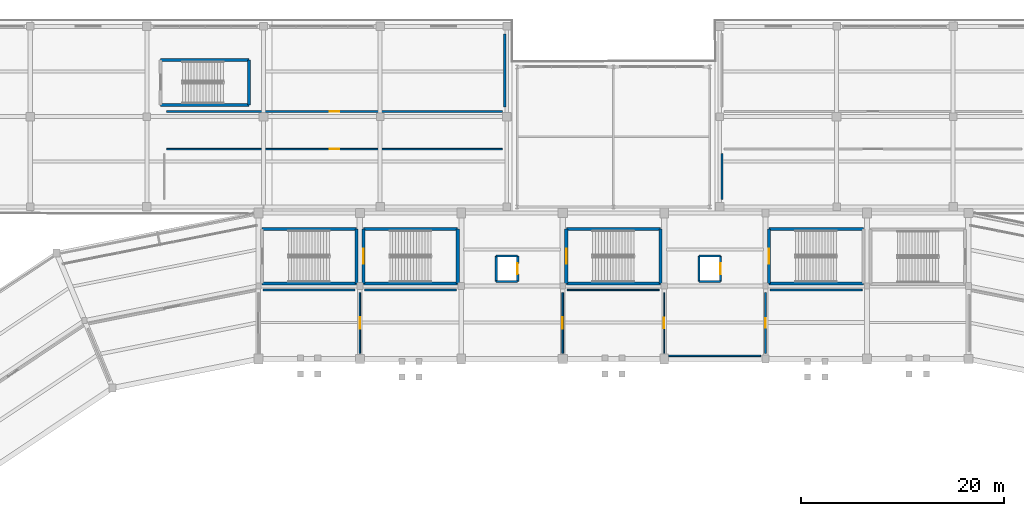
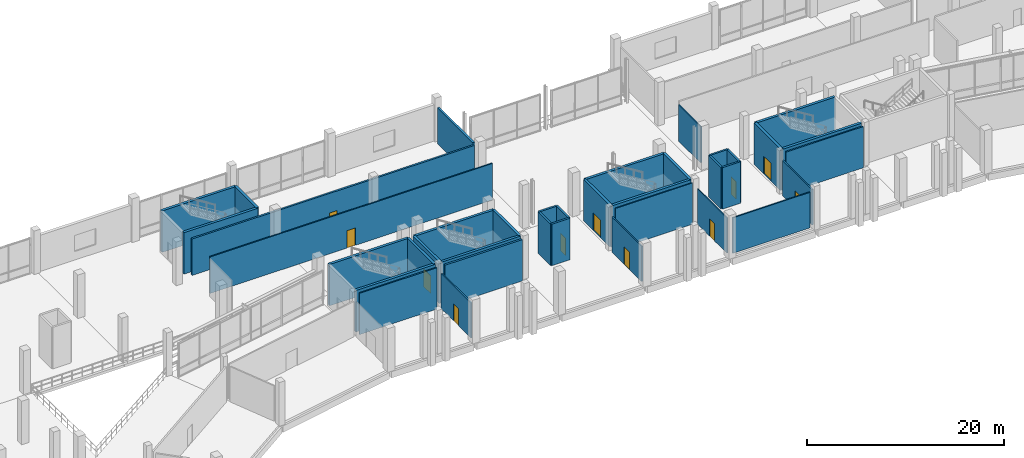
# One storey, part 82 of 114: 38 walls, 11 doors, 11 openings.
"""IFC4 building model written with IfcOpenShell, lengths in metres."""

from ifc_helpers import new_model, si_unit, direction, frame, frame_2d, origin, place, context, subcontext, project, spatial, rectangle, extrude, material, layer, layer_set, type_object, element, fill, save


model = new_model("IFC4")

# Units and contexts
model_context = context("Model", 3, precision=1e-05, world=origin(), true_north=direction((0.0, 1.0)))
body_context = subcontext(model_context, "Body", "Model", "MODEL_VIEW")
ifc_project = project(units=[si_unit("LENGTHUNIT", "METRE"), si_unit("AREAUNIT", "SQUARE_METRE"), si_unit("VOLUMEUNIT", "CUBIC_METRE"), si_unit("PLANEANGLEUNIT", "RADIAN"), si_unit("MASSUNIT", "GRAM", prefix="KILO")], contexts=[model_context])

# Site, building, storey
site_placement = place(None, origin())
site = spatial("IfcSite", under=ifc_project, at=site_placement, CompositionType="ELEMENT")
building_placement = place(site_placement, origin())
building = spatial("IfcBuilding", under=site, at=building_placement, Name="Candeia Ridge Stadium", CompositionType="ELEMENT")
storey_placement = place(building_placement, frame((0.0, 0.0, 5.39990234375)))
storey = spatial("IfcBuildingStorey", under=building, at=storey_placement, Name="L01", CompositionType="ELEMENT", Elevation=5.39990234375)

# Wall
ifc_material_1 = material(Name="Gypsum Acoustic Twin-Stud Assembly", Category="gypsum")
ifc_layer_1 = layer(ifc_material_1, 0.159912109375, Name="Gypsum Acoustic Twin-Stud Assembly", Category="gypsum")
ifc_layer_set_1 = layer_set([ifc_layer_1], Name="Gypsum Acoustic Twin-Stud Assembly")
wall_type_1 = type_object("IfcWallType", Name="Club Dining Acoustic Partition 160", PredefinedType="PARTITIONING", material=ifc_layer_set_1)
wall_1_placement = place(storey_placement, frame((116.699951171875, 148.35009765625, 0.0), z_axis=(0.0, 0.0, 1.0), x_axis=(0.0, 1.0, 0.0)))
element("IfcWall", 1, at=wall_1_placement, inside=storey, type_object=wall_type_1, Name="Demising partition PT-L01-0257", PredefinedType="PARTITIONING", context=body_context, shape_type="SweptSolid", body=[
    extrude(rectangle(XDim=4.5, YDim=0.159912109375, at=frame_2d((2.25, 0.0))), origin(), (0.0, 0.0, 1.0), 4.47509765625),
])

# Wall, opening, door
wall_2_placement = place(storey_placement, frame((101.0, 133.14990234375, 0.0), z_axis=(0.0, 0.0, 1.0), x_axis=(0.0, 1.0, 0.0)))
wall_2 = element("IfcWall", 2, at=wall_2_placement, inside=storey, type_object=wall_type_1, Name="Interior partition PT-L01-0280", PredefinedType="PARTITIONING", context=body_context, shape_type="SweptSolid", body=[
    extrude(rectangle(XDim=6.0, YDim=0.159912109375, at=frame_2d((3.0, 0.0))), origin(), (0.0, 0.0, 1.0), 4.385009765625),
])
opening_1_placement = place(wall_2_placement, frame((2.425048828125, 0.0, 0.0)))
opening_1 = element("IfcOpeningElement", 3, at=opening_1_placement, cuts=wall_2, Name="Opening ID02", PredefinedType="OPENING", context=body_context, shape_type="SweptSolid", body=[
    extrude(rectangle(XDim=1.14990234375, YDim=2.199951171875, at=frame_2d((0.574951171875, 1.10009765625))), frame((0.0, 0.08984375, 0.0), z_axis=(0.0, -1.0, 0.0), x_axis=(1.0, 0.0, 0.0)), (0.0, 0.0, 1.0), 0.179931640625),
])
ifc_material_2 = material(Name="Acoustic Timber Studio Leaf", Category="wood")
door_type_1 = type_object("IfcDoorType", Name="Broadcast & Press Studio Door 1150x2200", OperationType="NOTDEFINED", PredefinedType="DOOR", material=ifc_material_2)
door_1_placement = place(opening_1_placement, origin())
door_1 = element("IfcDoor", 4, at=door_1_placement, inside=storey, type_object=door_type_1, Name="Interior room door D-L01-0145", OperationType="SINGLE_SWING_LEFT", OverallHeight=2.199951171875, OverallWidth=1.14990234375, PredefinedType="DOOR", context=body_context, shape_type="SweptSolid", body=[
    extrude(rectangle(XDim=1.14990234375, YDim=2.199951171875, at=frame_2d((0.574951171875, 1.10009765625))), frame((0.0, 0.02490234375, 0.0), z_axis=(0.0, -1.0, 0.0), x_axis=(1.0, 0.0, 0.0)), (0.0, 0.0, 1.0), 0.050048828125),
])
fill(opening_1, door_1)

# Wall
wall_3_placement = place(storey_placement, frame((71.449951171875, 139.39990234375, 0.0), z_axis=(0.0, 0.0, 1.0), x_axis=(1.0, 0.0, 0.0)))
element("IfcWall", 5, at=wall_3_placement, inside=storey, type_object=wall_type_1, Name="Demising partition PT-L01-0285", PredefinedType="PARTITIONING", context=body_context, shape_type="SweptSolid", body=[
    extrude(rectangle(XDim=9.06005859375, YDim=0.159912109375, at=frame_2d((4.530029296875, 0.0))), origin(), (0.0, 0.0, 1.0), 5.1201171875),
])

# Wall, opening, door
ifc_material_3 = material(Name="Concrete Masonry Blockwork C25/30", Category="masonry")
ifc_layer_2 = layer(ifc_material_3, 0.14990234375, Name="Concrete Masonry Blockwork C25/30", Category="masonry")
ifc_layer_set_2 = layer_set([ifc_layer_2], Name="Concrete Masonry Blockwork C25/30")
wall_type_2 = type_object("IfcWallType", Name="Concourse Kiosk Partition 150", PredefinedType="PARTITIONING", material=ifc_layer_set_2)
wall_4_placement = place(storey_placement, frame((61.949951171875, 153.300048828125, 0.0), z_axis=(0.0, 0.0, 1.0), x_axis=(1.0, 0.0, 0.0)))
wall_4 = element("IfcWall", 6, at=wall_4_placement, inside=storey, type_object=wall_type_2, Name="Interior partition PT-L01-0252", PredefinedType="PARTITIONING", context=body_context, shape_type="SweptSolid", body=[
    extrude(rectangle(XDim=33.10009765625, YDim=0.14990234375, at=frame_2d((16.550048828125, 0.0))), origin(), (0.0, 0.0, 1.0), 4.525146484375),
])
opening_2_placement = place(wall_4_placement, frame((16.06005859375, 0.0, 0.0)))
opening_2 = element("IfcOpeningElement", 7, at=opening_2_placement, cuts=wall_4, Name="Opening ID12", PredefinedType="OPENING", context=body_context, shape_type="SweptSolid", body=[
    extrude(rectangle(XDim=0.97998046875, YDim=2.14990234375, at=frame_2d((0.489990234375, 1.074951171875))), frame((0.0, 0.0849609375, 0.0), z_axis=(0.0, -1.0, 0.0), x_axis=(1.0, 0.0, 0.0)), (0.0, 0.0, 1.0), 0.169921875),
])
door_type_2 = type_object("IfcDoorType", Name="Commentary Booth Acoustic Door 980x2150", OperationType="NOTDEFINED", PredefinedType="DOOR", material=ifc_material_2)
door_2_placement = place(opening_2_placement, origin())
door_2 = element("IfcDoor", 8, at=door_2_placement, inside=storey, type_object=door_type_2, Name="Interior room door D-L01-0131", OperationType="SINGLE_SWING_LEFT", OverallHeight=2.14990234375, OverallWidth=0.97998046875, PredefinedType="DOOR", context=body_context, shape_type="SweptSolid", body=[
    extrude(rectangle(XDim=0.97998046875, YDim=2.14990234375, at=frame_2d((0.489990234375, 1.074951171875))), frame((0.0, 0.02490234375, 0.0), z_axis=(0.0, -1.0, 0.0), x_axis=(1.0, 0.0, 0.0)), (0.0, 0.0, 1.0), 0.050048828125),
])
fill(opening_2, door_2)

# Walls
wall_5_placement = place(storey_placement, frame((120.510009765625, 132.89990234375, 0.0), z_axis=(0.0, 0.0, 1.0), x_axis=(-1.0, 0.0, 0.0)))
element("IfcWall", 9, at=wall_5_placement, inside=storey, type_object=wall_type_2, Name="Demising partition PT-L01-0279", PredefinedType="PARTITIONING", context=body_context, shape_type="SweptSolid", body=[
    extrude(rectangle(XDim=9.06005859375, YDim=0.14990234375, at=frame_2d((4.530029296875, 0.0))), origin(), (0.0, 0.0, 1.0), 4.405029296875),
])
ifc_material_4 = material(Name="Concrete C45/55", Category="concrete")
ifc_layer_3 = layer(ifc_material_4, 0.300048828125, Name="Concrete C45/55", Category="concrete")
ifc_layer_set_3 = layer_set([ifc_layer_3], Name="Concrete C45/55")
wall_type_3 = type_object("IfcWallType", Name="Core Shear Wall Concrete 300", PredefinedType="SHEAR", material=ifc_layer_set_3)
wall_6_placement = place(storey_placement, frame((71.350341796875, 140.05029296875, 0.0), z_axis=(0.0, 0.0, 1.0), x_axis=(1.0, 0.0, 0.0)))
element("IfcWall", 10, at=wall_6_placement, inside=storey, type_object=wall_type_3, Name="Core C01 left shear wall L01", PredefinedType="SHEAR", context=body_context, shape_type="SweptSolid", body=[
    extrude(rectangle(XDim=9.29931640625, YDim=0.300048828125, at=frame_2d((4.649658203125, 0.0))), origin(), (0.0, 0.0, 1.0), 5.14013671875),
])
wall_7_placement = place(storey_placement, frame((80.649658203125, 140.05029296875, 0.0), z_axis=(0.0, 0.0, 1.0), x_axis=(0.0, 1.0, 0.0)))
element("IfcWall", 11, at=wall_7_placement, inside=storey, type_object=wall_type_3, Name="Core C01 far shear wall L01", PredefinedType="SHEAR", context=body_context, shape_type="SweptSolid", body=[
    extrude(rectangle(XDim=5.349365234375, YDim=0.300048828125, at=frame_2d((2.6748046875, 0.0))), origin(), (0.0, 0.0, 1.0), 5.14013671875),
])
for number, where, z_axis, x_axis, name in (
    (12, (80.649658203125, 145.399658203125, 0.0), (0.0, 0.0, 1.0), (-1.0, 0.0, 0.0), "Core C01 right shear wall L01"),
    (13, (81.350341796875, 140.05029296875, 0.0), (0.0, 0.0, 1.0), (1.0, 0.0, 0.0), "Core C09 left shear wall L01"),
):
    element("IfcWall", number, at=place(storey_placement, frame(where, z_axis=z_axis, x_axis=x_axis)), inside=storey, type_object=wall_type_3, Name=name, PredefinedType="SHEAR", context=body_context, shape_type="SweptSolid", body=[
        extrude(rectangle(XDim=9.29931640625, YDim=0.300048828125, at=frame_2d((4.649658203125, 0.0))), origin(), (0.0, 0.0, 1.0), 5.14013671875),
    ])
wall_8_placement = place(storey_placement, frame((90.649658203125, 140.05029296875, 0.0), z_axis=(0.0, 0.0, 1.0), x_axis=(0.0, 1.0, 0.0)))
element("IfcWall", 14, at=wall_8_placement, inside=storey, type_object=wall_type_3, Name="Core C09 far shear wall L01", PredefinedType="SHEAR", context=body_context, shape_type="SweptSolid", body=[
    extrude(rectangle(XDim=5.349365234375, YDim=0.300048828125, at=frame_2d((2.6748046875, 0.0))), origin(), (0.0, 0.0, 1.0), 5.14013671875),
])
wall_9_placement = place(storey_placement, frame((90.649658203125, 145.399658203125, 0.0), z_axis=(0.0, 0.0, 1.0), x_axis=(-1.0, 0.0, 0.0)))
element("IfcWall", 15, at=wall_9_placement, inside=storey, type_object=wall_type_3, Name="Core C09 right shear wall L01", PredefinedType="SHEAR", context=body_context, shape_type="SweptSolid", body=[
    extrude(rectangle(XDim=9.29931640625, YDim=0.300048828125, at=frame_2d((4.649658203125, 0.0))), origin(), (0.0, 0.0, 1.0), 5.14013671875),
])

# Wall, opening, door
wall_10_placement = place(storey_placement, frame((81.350341796875, 145.399658203125, 0.0), z_axis=(0.0, 0.0, 1.0), x_axis=(0.0, -1.0, 0.0)))
wall_10 = element("IfcWall", 16, at=wall_10_placement, inside=storey, type_object=wall_type_3, Name="Core C09 near shear wall L01", PredefinedType="SHEAR", context=body_context, shape_type="SweptSolid", body=[
    extrude(rectangle(XDim=5.349365234375, YDim=0.300048828125, at=frame_2d((2.6748046875, 0.0))), origin(), (0.0, 0.0, 1.0), 5.14013671875),
])
opening_3_placement = place(wall_10_placement, frame((1.924560546875, 0.0, 0.0)))
opening_3 = element("IfcOpeningElement", 17, at=opening_3_placement, cuts=wall_10, Name="Opening FD01", PredefinedType="OPENING", context=body_context, shape_type="SweptSolid", body=[
    extrude(rectangle(XDim=1.5, YDim=2.199951171875, at=frame_2d((0.75, 1.10009765625))), frame((0.0, 0.159912109375, 0.0), z_axis=(0.0, -1.0, 0.0), x_axis=(1.0, 0.0, 0.0)), (0.0, 0.0, 1.0), 0.320068359375),
])
ifc_material_5 = material(Name="Galvanized Fire-Rated Steel", Category="steel")
door_type_3 = type_object("IfcDoorType", Name="Exit Stair Core Fire Door 1500x2200", OperationType="NOTDEFINED", PredefinedType="DOOR", material=ifc_material_5)
door_3_placement = place(opening_3_placement, origin())
door_3 = element("IfcDoor", 18, at=door_3_placement, inside=storey, type_object=door_type_3, Name="Exit stair fire door SD-ST09-L01", OperationType="DOUBLE_DOOR_SINGLE_SWING", OverallHeight=2.199951171875, OverallWidth=1.5, PredefinedType="DOOR", context=body_context, shape_type="SweptSolid", body=[
    extrude(rectangle(XDim=1.5, YDim=2.199951171875, at=frame_2d((0.75, 1.10009765625))), frame((0.0, 0.02490234375, 0.0), z_axis=(0.0, -1.0, 0.0), x_axis=(1.0, 0.0, 0.0)), (0.0, 0.0, 1.0), 0.050048828125),
])
fill(opening_3, door_3)

# Walls
for number, where, z_axis, x_axis, name in (
    (19, (121.350341796875, 140.05029296875, 0.0), (0.0, 0.0, 1.0), (1.0, 0.0, 0.0), "Core C10 left shear wall L01"),
    (20, (130.649658203125, 145.399658203125, 0.0), (0.0, 0.0, 1.0), (-1.0, 0.0, 0.0), "Core C10 right shear wall L01"),
):
    element("IfcWall", number, at=place(storey_placement, frame(where, z_axis=z_axis, x_axis=x_axis)), inside=storey, type_object=wall_type_3, Name=name, PredefinedType="SHEAR", context=body_context, shape_type="SweptSolid", body=[
        extrude(rectangle(XDim=9.29931640625, YDim=0.300048828125, at=frame_2d((4.649658203125, 0.0))), origin(), (0.0, 0.0, 1.0), 5.14013671875),
    ])

# Wall, opening, door
wall_11_placement = place(storey_placement, frame((121.350341796875, 145.399658203125, 0.0), z_axis=(0.0, 0.0, 1.0), x_axis=(0.0, -1.0, 0.0)))
wall_11 = element("IfcWall", 21, at=wall_11_placement, inside=storey, type_object=wall_type_3, Name="Core C10 near shear wall L01", PredefinedType="SHEAR", context=body_context, shape_type="SweptSolid", body=[
    extrude(rectangle(XDim=5.349365234375, YDim=0.300048828125, at=frame_2d((2.6748046875, 0.0))), origin(), (0.0, 0.0, 1.0), 5.14013671875),
])
opening_4_placement = place(wall_11_placement, frame((1.924560546875, 0.0, 0.0)))
opening_4 = element("IfcOpeningElement", 22, at=opening_4_placement, cuts=wall_11, Name="Opening FD01", PredefinedType="OPENING", context=body_context, shape_type="SweptSolid", body=[
    extrude(rectangle(XDim=1.5, YDim=2.199951171875, at=frame_2d((0.75, 1.10009765625))), frame((0.0, 0.159912109375, 0.0), z_axis=(0.0, -1.0, 0.0), x_axis=(1.0, 0.0, 0.0)), (0.0, 0.0, 1.0), 0.320068359375),
])
door_4_placement = place(opening_4_placement, origin())
door_4 = element("IfcDoor", 23, at=door_4_placement, inside=storey, type_object=door_type_3, Name="Exit stair fire door SD-ST10-L01", OperationType="DOUBLE_DOOR_SINGLE_SWING", OverallHeight=2.199951171875, OverallWidth=1.5, PredefinedType="DOOR", context=body_context, shape_type="SweptSolid", body=[
    extrude(rectangle(XDim=1.5, YDim=2.199951171875, at=frame_2d((0.75, 1.10009765625))), frame((0.0, 0.02490234375, 0.0), z_axis=(0.0, -1.0, 0.0), x_axis=(1.0, 0.0, 0.0)), (0.0, 0.0, 1.0), 0.050048828125),
])
fill(opening_4, door_4)

# Walls
wall_12_placement = place(storey_placement, frame((61.350341796875, 157.650390625, 0.0), z_axis=(0.0, 0.0, 1.0), x_axis=(1.0, 0.0, 0.0)))
element("IfcWall", 24, at=wall_12_placement, inside=storey, type_object=wall_type_3, Name="Core C15 left shear wall L01", PredefinedType="SHEAR", context=body_context, shape_type="SweptSolid", body=[
    extrude(rectangle(XDim=8.69921875, YDim=0.300048828125, at=frame_2d((4.349609375, 0.0))), origin(), (0.0, 0.0, 1.0), 5.14013671875),
])
wall_13_placement = place(storey_placement, frame((70.049560546875, 157.650390625, 0.0), z_axis=(0.0, 0.0, 1.0), x_axis=(0.0, 1.0, 0.0)))
element("IfcWall", 25, at=wall_13_placement, inside=storey, type_object=wall_type_3, Name="Core C15 far shear wall L01", PredefinedType="SHEAR", context=body_context, shape_type="SweptSolid", body=[
    extrude(rectangle(XDim=4.44921875, YDim=0.300048828125, at=frame_2d((2.224609375, 0.0))), origin(), (0.0, 0.0, 1.0), 5.14013671875),
])
wall_14_placement = place(storey_placement, frame((70.049560546875, 162.099609375, 0.0), z_axis=(0.0, 0.0, 1.0), x_axis=(-1.0, 0.0, 0.0)))
element("IfcWall", 26, at=wall_14_placement, inside=storey, type_object=wall_type_3, Name="Core C15 right shear wall L01", PredefinedType="SHEAR", context=body_context, shape_type="SweptSolid", body=[
    extrude(rectangle(XDim=8.69921875, YDim=0.300048828125, at=frame_2d((4.349609375, 0.0))), origin(), (0.0, 0.0, 1.0), 5.14013671875),
])
wall_15_placement = place(storey_placement, frame((101.350341796875, 140.05029296875, 0.0), z_axis=(0.0, 0.0, 1.0), x_axis=(1.0, 0.0, 0.0)))
element("IfcWall", 27, at=wall_15_placement, inside=storey, type_object=wall_type_3, Name="Core C17 left shear wall L01", PredefinedType="SHEAR", context=body_context, shape_type="SweptSolid", body=[
    extrude(rectangle(XDim=9.29931640625, YDim=0.300048828125, at=frame_2d((4.649658203125, 0.0))), origin(), (0.0, 0.0, 1.0), 5.14013671875),
])
wall_16_placement = place(storey_placement, frame((110.649658203125, 140.05029296875, 0.0), z_axis=(0.0, 0.0, 1.0), x_axis=(0.0, 1.0, 0.0)))
element("IfcWall", 28, at=wall_16_placement, inside=storey, type_object=wall_type_3, Name="Core C17 far shear wall L01", PredefinedType="SHEAR", context=body_context, shape_type="SweptSolid", body=[
    extrude(rectangle(XDim=5.349365234375, YDim=0.300048828125, at=frame_2d((2.6748046875, 0.0))), origin(), (0.0, 0.0, 1.0), 5.14013671875),
])
wall_17_placement = place(storey_placement, frame((110.649658203125, 145.399658203125, 0.0), z_axis=(0.0, 0.0, 1.0), x_axis=(-1.0, 0.0, 0.0)))
element("IfcWall", 29, at=wall_17_placement, inside=storey, type_object=wall_type_3, Name="Core C17 right shear wall L01", PredefinedType="SHEAR", context=body_context, shape_type="SweptSolid", body=[
    extrude(rectangle(XDim=9.29931640625, YDim=0.300048828125, at=frame_2d((4.649658203125, 0.0))), origin(), (0.0, 0.0, 1.0), 5.14013671875),
])

# Wall, opening, door
wall_18_placement = place(storey_placement, frame((101.350341796875, 145.399658203125, 0.0), z_axis=(0.0, 0.0, 1.0), x_axis=(0.0, -1.0, 0.0)))
wall_18 = element("IfcWall", 30, at=wall_18_placement, inside=storey, type_object=wall_type_3, Name="Core C17 near shear wall L01", PredefinedType="SHEAR", context=body_context, shape_type="SweptSolid", body=[
    extrude(rectangle(XDim=5.349365234375, YDim=0.300048828125, at=frame_2d((2.6748046875, 0.0))), origin(), (0.0, 0.0, 1.0), 5.14013671875),
])
opening_5_placement = place(wall_18_placement, frame((1.924560546875, 0.0, 0.0)))
opening_5 = element("IfcOpeningElement", 31, at=opening_5_placement, cuts=wall_18, Name="Opening FD01", PredefinedType="OPENING", context=body_context, shape_type="SweptSolid", body=[
    extrude(rectangle(XDim=1.5, YDim=2.199951171875, at=frame_2d((0.75, 1.10009765625))), frame((0.0, 0.159912109375, 0.0), z_axis=(0.0, -1.0, 0.0), x_axis=(1.0, 0.0, 0.0)), (0.0, 0.0, 1.0), 0.320068359375),
])
door_5_placement = place(opening_5_placement, origin())
door_5 = element("IfcDoor", 32, at=door_5_placement, inside=storey, type_object=door_type_3, Name="Exit stair fire door SD-ST17-L01", OperationType="DOUBLE_DOOR_SINGLE_SWING", OverallHeight=2.199951171875, OverallWidth=1.5, PredefinedType="DOOR", context=body_context, shape_type="SweptSolid", body=[
    extrude(rectangle(XDim=1.5, YDim=2.199951171875, at=frame_2d((0.75, 1.10009765625))), frame((0.0, 0.02490234375, 0.0), z_axis=(0.0, -1.0, 0.0), x_axis=(1.0, 0.0, 0.0)), (0.0, 0.0, 1.0), 0.050048828125),
])
fill(opening_5, door_5)

# Walls
ifc_material_6 = material(Name="Moisture-Resistant Masonry & Tile", Category="masonry")
ifc_layer_4 = layer(ifc_material_6, 0.22998046875, Name="Moisture-Resistant Masonry & Tile", Category="masonry")
ifc_layer_set_4 = layer_set([ifc_layer_4], Name="Moisture-Resistant Masonry & Tile")
wall_type_4 = type_object("IfcWallType", Name="Dressing Suite Wet-Wall Chase 230", PredefinedType="PLUMBINGWALL", material=ifc_layer_set_4)
wall_19_placement = place(storey_placement, frame((95.300048828125, 164.64990234375, 0.0), z_axis=(0.0, 0.0, 1.0), x_axis=(0.0, -1.0, 0.0)))
element("IfcWall", 33, at=wall_19_placement, inside=storey, type_object=wall_type_4, Name="Demising partition PT-L01-0255", PredefinedType="PLUMBINGWALL", context=body_context, shape_type="SweptSolid", body=[
    extrude(rectangle(XDim=7.199951171875, YDim=0.22998046875, at=frame_2d((3.60009765625, 0.0))), origin(), (0.0, 0.0, 1.0), 4.47509765625),
])
wall_20_placement = place(storey_placement, frame((81.449951171875, 139.39990234375, 0.0), z_axis=(0.0, 0.0, 1.0), x_axis=(1.0, 0.0, 0.0)))
element("IfcWall", 34, at=wall_20_placement, inside=storey, type_object=wall_type_4, Name="Demising partition PT-L01-0283", PredefinedType="PLUMBINGWALL", context=body_context, shape_type="SweptSolid", body=[
    extrude(rectangle(XDim=9.06005859375, YDim=0.22998046875, at=frame_2d((4.530029296875, 0.0))), origin(), (0.0, 0.0, 1.0), 5.1201171875),
])

# Wall, opening, door
ifc_layer_5 = layer(ifc_material_1, 0.1650390625, Name="Gypsum Acoustic Twin-Stud Assembly", Category="gypsum")
ifc_layer_set_5 = layer_set([ifc_layer_5], Name="Gypsum Acoustic Twin-Stud Assembly")
wall_type_5 = type_object("IfcWallType", Name="Hospitality Suite Acoustic Wall 165", PredefinedType="PARTITIONING", material=ifc_layer_set_5)
wall_21_placement = place(storey_placement, frame((121.0, 133.14990234375, 0.0), z_axis=(0.0, 0.0, 1.0), x_axis=(0.0, 1.0, 0.0)))
wall_21 = element("IfcWall", 35, at=wall_21_placement, inside=storey, type_object=wall_type_5, Name="Interior partition PT-L01-0276", PredefinedType="PARTITIONING", context=body_context, shape_type="SweptSolid", body=[
    extrude(rectangle(XDim=6.0, YDim=0.1650390625, at=frame_2d((3.0, 0.0))), origin(), (0.0, 0.0, 1.0), 4.375),
])
opening_6_placement = place(wall_21_placement, frame((2.510009765625, 0.0, 0.0)))
opening_6 = element("IfcOpeningElement", 36, at=opening_6_placement, cuts=wall_21, Name="Opening ID12", PredefinedType="OPENING", context=body_context, shape_type="SweptSolid", body=[
    extrude(rectangle(XDim=0.97998046875, YDim=2.14990234375, at=frame_2d((0.489990234375, 1.074951171875))), frame((0.0, 0.092529296875, 0.0), z_axis=(0.0, -1.0, 0.0), x_axis=(1.0, 0.0, 0.0)), (0.0, 0.0, 1.0), 0.18505859375),
])
door_6_placement = place(opening_6_placement, frame((0.97998046875, 0.0, 0.0), z_axis=(0.0, 0.0, 1.0), x_axis=(-1.0, 0.0, 0.0)))
door_6 = element("IfcDoor", 37, at=door_6_placement, inside=storey, type_object=door_type_2, Name="Interior room door D-L01-0143", OperationType="SINGLE_SWING_LEFT", OverallHeight=2.14990234375, OverallWidth=0.97998046875, PredefinedType="DOOR", context=body_context, shape_type="SweptSolid", body=[
    extrude(rectangle(XDim=0.97998046875, YDim=2.14990234375, at=frame_2d((0.489990234375, 1.074951171875))), frame((0.0, 0.02490234375, 0.0), z_axis=(0.0, -1.0, 0.0), x_axis=(1.0, 0.0, 0.0)), (0.0, 0.0, 1.0), 0.050048828125),
])
fill(opening_6, door_6)

# Wall
wall_22_placement = place(storey_placement, frame((121.449951171875, 139.39990234375, 0.0), z_axis=(0.0, 0.0, 1.0), x_axis=(1.0, 0.0, 0.0)))
element("IfcWall", 38, at=wall_22_placement, inside=storey, type_object=wall_type_5, Name="Demising partition PT-L01-0277", PredefinedType="PARTITIONING", context=body_context, shape_type="SweptSolid", body=[
    extrude(rectangle(XDim=9.06005859375, YDim=0.1650390625, at=frame_2d((4.530029296875, 0.0))), origin(), (0.0, 0.0, 1.0), 5.1201171875),
])

# Wall, opening, door
wall_23_placement = place(storey_placement, frame((81.0, 133.14990234375, 0.0), z_axis=(0.0, 0.0, 1.0), x_axis=(0.0, 1.0, 0.0)))
wall_23 = element("IfcWall", 39, at=wall_23_placement, inside=storey, type_object=wall_type_5, Name="Interior partition PT-L01-0282", PredefinedType="PARTITIONING", context=body_context, shape_type="SweptSolid", body=[
    extrude(rectangle(XDim=6.0, YDim=0.1650390625, at=frame_2d((3.0, 0.0))), origin(), (0.0, 0.0, 1.0), 4.34521484375),
])
opening_7_placement = place(wall_23_placement, frame((2.449951171875, 0.0, 0.0)))
opening_7 = element("IfcOpeningElement", 40, at=opening_7_placement, cuts=wall_23, Name="Opening FD04", PredefinedType="OPENING", context=body_context, shape_type="SweptSolid", body=[
    extrude(rectangle(XDim=1.10009765625, YDim=2.14990234375, at=frame_2d((0.550048828125, 1.074951171875))), frame((0.0, 0.092529296875, 0.0), z_axis=(0.0, -1.0, 0.0), x_axis=(1.0, 0.0, 0.0)), (0.0, 0.0, 1.0), 0.18505859375),
])
door_type_4 = type_object("IfcDoorType", Name="Plant & Riser Rated Door 1100x2150", OperationType="NOTDEFINED", PredefinedType="DOOR", material=ifc_material_5)
door_7_placement = place(opening_7_placement, origin())
door_7 = element("IfcDoor", 41, at=door_7_placement, inside=storey, type_object=door_type_4, Name="Interior room door D-L01-0146", OperationType="SINGLE_SWING_RIGHT", OverallHeight=2.14990234375, OverallWidth=1.10009765625, PredefinedType="DOOR", context=body_context, shape_type="SweptSolid", body=[
    extrude(rectangle(XDim=1.10009765625, YDim=2.14990234375, at=frame_2d((0.550048828125, 1.074951171875))), frame((0.0, 0.02490234375, 0.0), z_axis=(0.0, -1.0, 0.0), x_axis=(1.0, 0.0, 0.0)), (0.0, 0.0, 1.0), 0.050048828125),
])
fill(opening_7, door_7)

# Wall
ifc_material_7 = material(Name="Concrete C40/50", Category="concrete")
ifc_layer_6 = layer(ifc_material_7, 0.219970703125, Name="Concrete C40/50", Category="concrete")
ifc_layer_set_6 = layer_set([ifc_layer_6], Name="Concrete C40/50")
wall_type_6 = type_object("IfcWallType", Name="Lift & Riser Shaft Wall 220", PredefinedType="SHEAR", material=ifc_layer_set_6)
wall_24_placement = place(storey_placement, frame((94.43994140625, 140.239990234375, 0.0), z_axis=(0.0, 0.0, 1.0), x_axis=(1.0, 0.0, 0.0)))
element("IfcWall", 42, at=wall_24_placement, inside=storey, type_object=wall_type_6, Name="Lift PL1 shaft wall L01 south", PredefinedType="SHEAR", context=body_context, shape_type="SweptSolid", body=[
    extrude(rectangle(XDim=2.1201171875, YDim=0.219970703125, at=frame_2d((1.06005859375, 0.0))), origin(), (0.0, 0.0, 1.0), 5.14013671875),
])

# Wall, opening, door
wall_25_placement = place(storey_placement, frame((96.56005859375, 140.239990234375, 0.0), z_axis=(0.0, 0.0, 1.0), x_axis=(0.0, 1.0, 0.0)))
wall_25 = element("IfcWall", 43, at=wall_25_placement, inside=storey, type_object=wall_type_6, Name="Lift PL1 shaft wall L01 east", PredefinedType="SHEAR", context=body_context, shape_type="SweptSolid", body=[
    extrude(rectangle(XDim=2.52001953125, YDim=0.219970703125, at=frame_2d((1.260009765625, 0.0))), origin(), (0.0, 0.0, 1.0), 5.14013671875),
])
opening_8_placement = place(wall_25_placement, frame((0.735107421875, 0.0, 0.0)))
opening_8 = element("IfcOpeningElement", 44, at=opening_8_placement, cuts=wall_25, Name="Opening LD02", PredefinedType="OPENING", context=body_context, shape_type="SweptSolid", body=[
    extrude(rectangle(XDim=1.050048828125, YDim=2.14990234375, at=frame_2d((0.52490234375, 1.074951171875))), frame((0.0, 0.119873046875, 0.0), z_axis=(0.0, -1.0, 0.0), x_axis=(1.0, 0.0, 0.0)), (0.0, 0.0, 1.0), 0.239990234375),
])
ifc_material_8 = material(Name="Brushed Stainless Steel", Category="steel")
door_type_5 = type_object("IfcDoorType", Name="Passenger Lift Landing Door 1050x2150", OperationType="NOTDEFINED", PredefinedType="DOOR", material=ifc_material_8)
door_8_placement = place(opening_8_placement, origin())
door_8 = element("IfcDoor", 45, at=door_8_placement, inside=storey, type_object=door_type_5, Name="Lift landing sliding door LD-PL1-L01", OperationType="DOUBLE_DOOR_SLIDING", OverallHeight=2.14990234375, OverallWidth=1.050048828125, PredefinedType="DOOR", context=body_context, shape_type="SweptSolid", body=[
    extrude(rectangle(XDim=1.050048828125, YDim=2.14990234375, at=frame_2d((0.52490234375, 1.074951171875))), frame((0.0, 0.02490234375, 0.0), z_axis=(0.0, -1.0, 0.0), x_axis=(1.0, 0.0, 0.0)), (0.0, 0.0, 1.0), 0.050048828125),
])
fill(opening_8, door_8)

# Walls
wall_26_placement = place(storey_placement, frame((96.56005859375, 142.760009765625, 0.0), z_axis=(0.0, 0.0, 1.0), x_axis=(-1.0, 0.0, 0.0)))
element("IfcWall", 46, at=wall_26_placement, inside=storey, type_object=wall_type_6, Name="Lift PL1 shaft wall L01 north", PredefinedType="SHEAR", context=body_context, shape_type="SweptSolid", body=[
    extrude(rectangle(XDim=2.1201171875, YDim=0.219970703125, at=frame_2d((1.06005859375, 0.0))), origin(), (0.0, 0.0, 1.0), 5.14013671875),
])
wall_27_placement = place(storey_placement, frame((94.43994140625, 142.760009765625, 0.0), z_axis=(0.0, 0.0, 1.0), x_axis=(0.0, -1.0, 0.0)))
element("IfcWall", 47, at=wall_27_placement, inside=storey, type_object=wall_type_6, Name="Lift PL1 shaft wall L01 west", PredefinedType="SHEAR", context=body_context, shape_type="SweptSolid", body=[
    extrude(rectangle(XDim=2.52001953125, YDim=0.219970703125, at=frame_2d((1.260009765625, 0.0))), origin(), (0.0, 0.0, 1.0), 5.14013671875),
])
wall_28_placement = place(storey_placement, frame((114.43994140625, 140.239990234375, 0.0), z_axis=(0.0, 0.0, 1.0), x_axis=(1.0, 0.0, 0.0)))
element("IfcWall", 48, at=wall_28_placement, inside=storey, type_object=wall_type_6, Name="Lift PL2 shaft wall L01 south", PredefinedType="SHEAR", context=body_context, shape_type="SweptSolid", body=[
    extrude(rectangle(XDim=2.1201171875, YDim=0.219970703125, at=frame_2d((1.06005859375, 0.0))), origin(), (0.0, 0.0, 1.0), 5.14013671875),
])

# Wall, opening, door
wall_29_placement = place(storey_placement, frame((116.56005859375, 140.239990234375, 0.0), z_axis=(0.0, 0.0, 1.0), x_axis=(0.0, 1.0, 0.0)))
wall_29 = element("IfcWall", 49, at=wall_29_placement, inside=storey, type_object=wall_type_6, Name="Lift PL2 shaft wall L01 east", PredefinedType="SHEAR", context=body_context, shape_type="SweptSolid", body=[
    extrude(rectangle(XDim=2.52001953125, YDim=0.219970703125, at=frame_2d((1.260009765625, 0.0))), origin(), (0.0, 0.0, 1.0), 5.14013671875),
])
opening_9_placement = place(wall_29_placement, frame((0.735107421875, 0.0, 0.0)))
opening_9 = element("IfcOpeningElement", 50, at=opening_9_placement, cuts=wall_29, Name="Opening LD02", PredefinedType="OPENING", context=body_context, shape_type="SweptSolid", body=[
    extrude(rectangle(XDim=1.050048828125, YDim=2.14990234375, at=frame_2d((0.52490234375, 1.074951171875))), frame((0.0, 0.119873046875, 0.0), z_axis=(0.0, -1.0, 0.0), x_axis=(1.0, 0.0, 0.0)), (0.0, 0.0, 1.0), 0.239990234375),
])
door_9_placement = place(opening_9_placement, origin())
door_9 = element("IfcDoor", 51, at=door_9_placement, inside=storey, type_object=door_type_5, Name="Lift landing sliding door LD-PL2-L01", OperationType="DOUBLE_DOOR_SLIDING", OverallHeight=2.14990234375, OverallWidth=1.050048828125, PredefinedType="DOOR", context=body_context, shape_type="SweptSolid", body=[
    extrude(rectangle(XDim=1.050048828125, YDim=2.14990234375, at=frame_2d((0.52490234375, 1.074951171875))), frame((0.0, 0.02490234375, 0.0), z_axis=(0.0, -1.0, 0.0), x_axis=(1.0, 0.0, 0.0)), (0.0, 0.0, 1.0), 0.050048828125),
])
fill(opening_9, door_9)

# Walls
wall_30_placement = place(storey_placement, frame((116.56005859375, 142.760009765625, 0.0), z_axis=(0.0, 0.0, 1.0), x_axis=(-1.0, 0.0, 0.0)))
element("IfcWall", 52, at=wall_30_placement, inside=storey, type_object=wall_type_6, Name="Lift PL2 shaft wall L01 north", PredefinedType="SHEAR", context=body_context, shape_type="SweptSolid", body=[
    extrude(rectangle(XDim=2.1201171875, YDim=0.219970703125, at=frame_2d((1.06005859375, 0.0))), origin(), (0.0, 0.0, 1.0), 5.14013671875),
])
wall_31_placement = place(storey_placement, frame((114.43994140625, 142.760009765625, 0.0), z_axis=(0.0, 0.0, 1.0), x_axis=(0.0, -1.0, 0.0)))
element("IfcWall", 53, at=wall_31_placement, inside=storey, type_object=wall_type_6, Name="Lift PL2 shaft wall L01 west", PredefinedType="SHEAR", context=body_context, shape_type="SweptSolid", body=[
    extrude(rectangle(XDim=2.52001953125, YDim=0.219970703125, at=frame_2d((1.260009765625, 0.0))), origin(), (0.0, 0.0, 1.0), 5.14013671875),
])

# Wall, opening, door
ifc_layer_7 = layer(ifc_material_6, 0.2099609375, Name="Moisture-Resistant Masonry & Tile", Category="masonry")
ifc_layer_set_7 = layer_set([ifc_layer_7], Name="Moisture-Resistant Masonry & Tile")
wall_type_7 = type_object("IfcWallType", Name="Sanitary Wet-Wall Plumbing Chase 210", PredefinedType="PLUMBINGWALL", material=ifc_layer_set_7)
wall_32_placement = place(storey_placement, frame((95.050048828125, 157.0, 0.0), z_axis=(0.0, 0.0, 1.0), x_axis=(-1.0, 0.0, 0.0)))
wall_32 = element("IfcWall", 54, at=wall_32_placement, inside=storey, type_object=wall_type_7, Name="Interior partition PT-L01-0254", PredefinedType="PLUMBINGWALL", context=body_context, shape_type="SweptSolid", body=[
    extrude(rectangle(XDim=33.10009765625, YDim=0.2099609375, at=frame_2d((16.550048828125, 0.0))), origin(), (0.0, 0.0, 1.0), 4.525146484375),
])
opening_10_placement = place(wall_32_placement, frame((16.090087890625, 0.0, 0.0)))
opening_10 = element("IfcOpeningElement", 55, at=opening_10_placement, cuts=wall_32, Name="Opening ID15", PredefinedType="OPENING", context=body_context, shape_type="SweptSolid", body=[
    extrude(rectangle(XDim=0.919921875, YDim=2.10009765625, at=frame_2d((0.4599609375, 1.050048828125))), frame((0.0, 0.114990234375, 0.0), z_axis=(0.0, -1.0, 0.0), x_axis=(1.0, 0.0, 0.0)), (0.0, 0.0, 1.0), 0.22998046875),
])
ifc_material_9 = material(Name="Powder-Coated Hollow Metal", Category="steel")
door_type_6 = type_object("IfcDoorType", Name="Concourse Store Single Door 920x2100", OperationType="NOTDEFINED", PredefinedType="DOOR", material=ifc_material_9)
door_10_placement = place(opening_10_placement, origin())
door_10 = element("IfcDoor", 56, at=door_10_placement, inside=storey, type_object=door_type_6, Name="Interior room door D-L01-0132", OperationType="SINGLE_SWING_RIGHT", OverallHeight=2.10009765625, OverallWidth=0.919921875, PredefinedType="DOOR", context=body_context, shape_type="SweptSolid", body=[
    extrude(rectangle(XDim=0.919921875, YDim=2.10009765625, at=frame_2d((0.4599609375, 1.050048828125))), frame((0.0, 0.02490234375, 0.0), z_axis=(0.0, -1.0, 0.0), x_axis=(1.0, 0.0, 0.0)), (0.0, 0.0, 1.0), 0.050048828125),
])
fill(opening_10, door_10)

ifc_material_10 = material(Name="Gypsum Metal-Stud Partition", Category="gypsum")
ifc_layer_8 = layer(ifc_material_10, 0.1201171875, Name="Gypsum Metal-Stud Partition", Category="gypsum")
ifc_layer_set_8 = layer_set([ifc_layer_8], Name="Gypsum Metal-Stud Partition")
wall_type_8 = type_object("IfcWallType", Name="Suite Internal Divider 120", PredefinedType="PARTITIONING", material=ifc_layer_set_8)
wall_33_placement = place(storey_placement, frame((111.0, 133.14990234375, 0.0), z_axis=(0.0, 0.0, 1.0), x_axis=(0.0, 1.0, 0.0)))
wall_33 = element("IfcWall", 57, at=wall_33_placement, inside=storey, type_object=wall_type_8, Name="Interior partition PT-L01-0278", PredefinedType="PARTITIONING", context=body_context, shape_type="SweptSolid", body=[
    extrude(rectangle(XDim=6.0, YDim=0.1201171875, at=frame_2d((3.0, 0.0))), origin(), (0.0, 0.0, 1.0), 4.364990234375),
])
opening_11_placement = place(wall_33_placement, frame((2.489990234375, 0.0, 0.0)))
opening_11 = element("IfcOpeningElement", 58, at=opening_11_placement, cuts=wall_33, Name="Opening ID16", PredefinedType="OPENING", context=body_context, shape_type="SweptSolid", body=[
    extrude(rectangle(XDim=1.02001953125, YDim=2.14990234375, at=frame_2d((0.510009765625, 1.074951171875))), frame((0.0, 0.070068359375, 0.0), z_axis=(0.0, -1.0, 0.0), x_axis=(1.0, 0.0, 0.0)), (0.0, 0.0, 1.0), 0.14013671875),
])
ifc_material_11 = material(Name="Solid Core Cedar Veneer", Category="wood")
door_type_7 = type_object("IfcDoorType", Name="Community Classroom Door 1020x2150", OperationType="NOTDEFINED", PredefinedType="DOOR", material=ifc_material_11)
door_11_placement = place(opening_11_placement, frame((1.02001953125, 0.0, 0.0), z_axis=(0.0, 0.0, 1.0), x_axis=(-1.0, 0.0, 0.0)))
door_11 = element("IfcDoor", 59, at=door_11_placement, inside=storey, type_object=door_type_7, Name="Interior room door D-L01-0144", OperationType="SINGLE_SWING_RIGHT", OverallHeight=2.14990234375, OverallWidth=1.02001953125, PredefinedType="DOOR", context=body_context, shape_type="SweptSolid", body=[
    extrude(rectangle(XDim=1.02001953125, YDim=2.14990234375, at=frame_2d((0.510009765625, 1.074951171875))), frame((0.0, 0.02490234375, 0.0), z_axis=(0.0, -1.0, 0.0), x_axis=(1.0, 0.0, 0.0)), (0.0, 0.0, 1.0), 0.050048828125),
])
fill(opening_11, door_11)

# Wall
wall_34_placement = place(storey_placement, frame((101.449951171875, 139.39990234375, 0.0), z_axis=(0.0, 0.0, 1.0), x_axis=(1.0, 0.0, 0.0)))
element("IfcWall", 60, at=wall_34_placement, inside=storey, type_object=wall_type_8, Name="Demising partition PT-L01-0281", PredefinedType="PARTITIONING", context=body_context, shape_type="SweptSolid", body=[
    extrude(rectangle(XDim=9.06005859375, YDim=0.1201171875, at=frame_2d((4.530029296875, 0.0))), origin(), (0.0, 0.0, 1.0), 5.1201171875),
])

save(model, "model.ifc")
